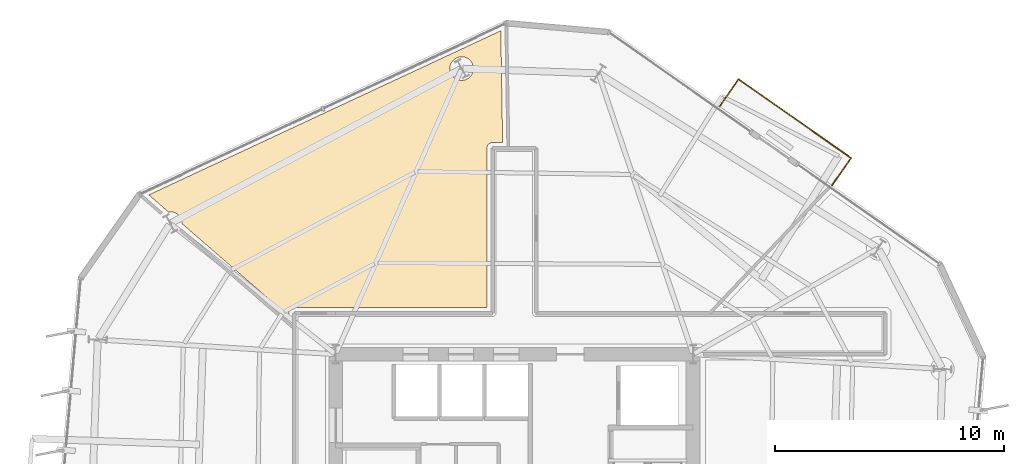
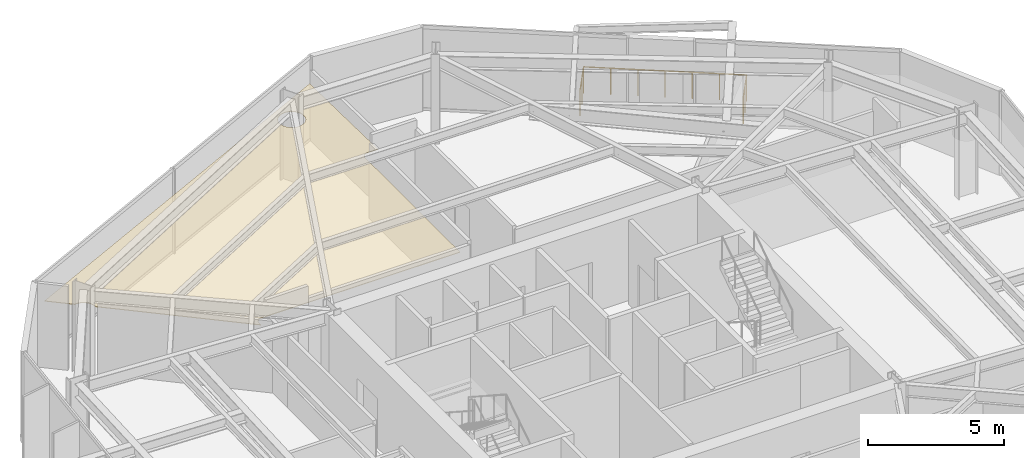
# One storey, part 12 of 12: 1 covering, 1 railing.
"""IFC4 building model written with IfcOpenShell, lengths in metres."""

from ifc_helpers import new_model, si_unit, direction, frame, origin, origin_2d, place, context, subcontext, project, spatial, polyline, circle, outline, extrude, material, layer, layer_set, type_object, element, save


model = new_model("IFC4")

# Units and contexts
model_context = context("Model", 3, precision=1e-05, world=origin(), true_north=direction((0.0, 1.0)))
body_context = subcontext(model_context, "Body", "Model", "MODEL_VIEW")
ifc_project = project(units=[si_unit("LENGTHUNIT", "METRE"), si_unit("AREAUNIT", "SQUARE_METRE"), si_unit("VOLUMEUNIT", "CUBIC_METRE"), si_unit("PLANEANGLEUNIT", "RADIAN"), si_unit("MASSUNIT", "GRAM", prefix="KILO")], contexts=[model_context])

# Site, building, storey
site_placement = place(None, origin())
site = spatial("IfcSite", under=ifc_project, at=site_placement, CompositionType="ELEMENT")
building_placement = place(site_placement, origin())
building = spatial("IfcBuilding", under=site, at=building_placement, Name="Kranzbogen Civic Tower", CompositionType="ELEMENT")
storey_placement = place(building_placement, frame((0.0, 0.0, 122.39990234375)))
storey = spatial("IfcBuildingStorey", under=building, at=storey_placement, Name="L29", CompositionType="ELEMENT", Elevation=122.39990234375)

# Railing
ifc_material_1 = material(Name="Anodised Bronze Aluminium", Category="aluminium")
railing_type = type_object("IfcRailingType", Name="Cantilevered Balcony Glass and Bronze Balustrade 1200", PredefinedType="BALUSTRADE", material=ifc_material_1)
railing_placement = place(storey_placement, frame((38.8720703125, 39.580078125, 0.0)))
element("IfcRailing", 1, at=railing_placement, inside=storey, type_object=railing_type, Name="L29 exterior terrace balustrade L29-TB1", PredefinedType="BALUSTRADE", context=body_context, shape_type="SweptSolid", body=[
    extrude(circle(Radius=0.02392578125, at=origin_2d()), frame((0.0, 0.0, 1.17578125), z_axis=(0.573665677324, 0.819089549842, 0.0), x_axis=(-0.819089549842, 0.573665677324, 0.0)), (0.0, 0.0, 1.0), 1.450439453125),
    extrude(circle(Radius=0.02392578125, at=origin_2d()), frame((0.83203125, 1.18798828125, 1.17578125), z_axis=(-0.819124862085, 0.573615254604, 0.0), x_axis=(-0.573615254604, -0.819124862085, 0.0)), (0.0, 0.0, 1.0), 6.000244140625),
    extrude(circle(Radius=0.02392578125, at=origin_2d()), frame((-4.0830078125, 4.6298828125, 1.17578125), z_axis=(-0.573665677324, -0.819089549842, 0.0), x_axis=(0.819089549842, -0.573665677324, 0.0)), (0.0, 0.0, 1.0), 1.450439453125),
    extrude(circle(Radius=0.02099609375, at=origin_2d()), origin(), (0.0, 0.0, 1.0), 1.15185546875),
    extrude(circle(Radius=0.02099609375, at=origin_2d()), frame((0.416015625, 0.593994140625, 0.0)), (0.0, 0.0, 1.0), 1.15185546875),
    extrude(circle(Radius=0.02099609375, at=origin_2d()), frame((0.83203125, 1.18798828125, 0.0)), (0.0, 0.0, 1.0), 1.15185546875),
    extrude(circle(Radius=0.02099609375, at=origin_2d()), frame((0.012939453125, 1.76171875, 0.0)), (0.0, 0.0, 1.0), 1.15185546875),
    extrude(circle(Radius=0.02099609375, at=origin_2d()), frame((-0.806396484375, 2.335205078125, 0.0)), (0.0, 0.0, 1.0), 1.15185546875),
    extrude(circle(Radius=0.02099609375, at=origin_2d()), frame((-1.62548828125, 2.908935546875, 0.0)), (0.0, 0.0, 1.0), 1.15185546875),
    extrude(circle(Radius=0.02099609375, at=origin_2d()), frame((-2.444580078125, 3.482666015625, 0.0)), (0.0, 0.0, 1.0), 1.15185546875),
    extrude(circle(Radius=0.02099609375, at=origin_2d()), frame((-3.263916015625, 4.05615234375, 0.0)), (0.0, 0.0, 1.0), 1.15185546875),
    extrude(circle(Radius=0.02099609375, at=origin_2d()), frame((-4.0830078125, 4.6298828125, 0.0)), (0.0, 0.0, 1.0), 1.15185546875),
    extrude(circle(Radius=0.02099609375, at=origin_2d()), frame((-4.4990234375, 4.035888671875, 0.0)), (0.0, 0.0, 1.0), 1.15185546875),
    extrude(circle(Radius=0.02099609375, at=origin_2d()), frame((-4.9150390625, 3.44189453125, 0.0)), (0.0, 0.0, 1.0), 1.15185546875),
])

# Covering
ifc_material_2 = material(Name="Perforated Acoustic Gypsum Ceiling")
ifc_layer = layer(ifc_material_2, 0.02490234375, Name="Perforated Acoustic Gypsum Ceiling")
ifc_layer_set = layer_set([ifc_layer], Name="Perforated Acoustic Gypsum Ceiling")
covering_type = type_object("IfcCoveringType", Name="Perforated Acoustic Mineral Ceiling Tile 25 mm", PredefinedType="CEILING", material=ifc_layer_set)
covering_placement = place(storey_placement, frame((0.0, 0.0, 2.75)))
element("IfcCovering", 2, at=covering_placement, inside=storey, type_object=covering_type, Name="L29 Refreshment Galley Pantry acoustic ceiling", PredefinedType="CEILING", context=body_context, shape_type="SweptSolid", body=[
    extrude(outline(polyline([(24.489013671875, 41.445068359375), (24.050048828125, 41.445068359375), (24.041015625, 41.445068359375), (24.034912109375, 41.444091796875), (24.01708984375, 41.443115234375), (24.010986328125, 41.44189453125), (23.993896484375, 41.43798828125), (23.987060546875, 41.43701171875), (23.969970703125, 41.431884765625), (23.964111328125, 41.429931640625), (23.947998046875, 41.423095703125), (23.94189453125, 41.419921875), (23.927001953125, 41.412109375), (23.9208984375, 41.407958984375), (23.906982421875, 41.39892578125), (23.902099609375, 41.39501953125), (23.887939453125, 41.384033203125), (23.883056640625, 41.37890625), (23.87109375, 41.366943359375), (23.865966796875, 41.362060546875), (23.85498046875, 41.347900390625), (23.85107421875, 41.343017578125), (23.842041015625, 41.3291015625), (23.837890625, 41.322998046875), (23.830078125, 41.30810546875), (23.826904296875, 41.302001953125), (23.820068359375, 41.285888671875), (23.818115234375, 41.280029296875), (23.81298828125, 41.262939453125), (23.81201171875, 41.256103515625), (23.80810546875, 41.239013671875), (23.806884765625, 41.23291015625), (23.805908203125, 41.215087890625), (23.804931640625, 41.208984375), (23.804931640625, 41.199951171875), (23.804931640625, 34.2451171875), (15.39990234375, 34.2451171875), (15.39111328125, 34.2451171875), (15.385009765625, 34.243896484375), (15.366943359375, 34.242919921875), (15.361083984375, 34.241943359375), (15.343994140625, 34.238037109375), (15.3369140625, 34.237060546875), (15.320068359375, 34.23193359375), (15.31396484375, 34.22998046875), (15.298095703125, 34.222900390625), (15.2919921875, 34.219970703125), (15.277099609375, 34.2119140625), (15.27099609375, 34.2080078125), (15.257080078125, 34.198974609375), (15.251953125, 34.195068359375), (15.238037109375, 34.18408203125), (15.23291015625, 34.178955078125), (15.220947265625, 34.1669921875), (15.216064453125, 34.162109375), (15.205078125, 34.14794921875), (15.200927734375, 34.14306640625), (15.19189453125, 34.12890625), (15.18798828125, 34.123046875), (15.179931640625, 34.10791015625), (15.177001953125, 34.10205078125), (15.169921875, 34.0859375), (15.16796875, 34.080078125), (15.1630859375, 34.06298828125), (15.162109375, 34.055908203125), (15.157958984375, 34.0390625), (15.156982421875, 34.032958984375), (15.156005859375, 34.014892578125), (15.155029296875, 34.009033203125), (15.155029296875, 34.0), (15.155029296875, 33.860107421875), (10.490966796875, 37.904052734375), (10.490966796875, 37.907958984375), (10.489013671875, 37.9580078125), (10.48095703125, 38.008056640625), (10.468994140625, 38.056884765625), (10.451904296875, 38.10498046875), (10.430908203125, 38.14990234375), (10.405029296875, 38.194091796875), (10.375, 38.23388671875), (10.341064453125, 38.27197265625), (10.302978515625, 38.305908203125), (10.262939453125, 38.3359375), (10.218994140625, 38.362060546875), (10.174072265625, 38.383056640625), (10.1259765625, 38.39990234375), (10.076904296875, 38.412109375), (10.027099609375, 38.419921875), (9.97705078125, 38.422119140625), (9.927001953125, 38.419921875), (9.89990234375, 38.416015625), (9.0439453125, 39.157958984375), (24.410888671875, 46.323974609375), (24.489013671875, 41.445068359375)]), holes=[polyline([(23.174072265625, 44.47509765625), (23.153076171875, 44.429931640625), (23.126953125, 44.385986328125), (23.096923828125, 44.345947265625), (23.06298828125, 44.30810546875), (23.02490234375, 44.27392578125), (22.985107421875, 44.243896484375), (22.94091796875, 44.218017578125), (22.89599609375, 44.197021484375), (22.847900390625, 44.179931640625), (22.799072265625, 44.16796875), (22.7490234375, 44.159912109375), (22.698974609375, 44.157958984375), (22.64892578125, 44.159912109375), (22.59912109375, 44.16796875), (22.550048828125, 44.179931640625), (22.501953125, 44.197021484375), (22.45703125, 44.218017578125), (22.4130859375, 44.243896484375), (22.373046875, 44.27392578125), (22.3349609375, 44.30810546875), (22.301025390625, 44.345947265625), (22.27099609375, 44.385986328125), (22.2451171875, 44.429931640625), (22.22412109375, 44.47509765625), (22.20703125, 44.52294921875), (22.195068359375, 44.572021484375), (22.18701171875, 44.6220703125), (22.18505859375, 44.672119140625), (22.18701171875, 44.721923828125), (22.195068359375, 44.77197265625), (22.20703125, 44.821044921875), (22.22412109375, 44.868896484375), (22.2451171875, 44.9140625), (22.27099609375, 44.9580078125), (22.301025390625, 44.998046875), (22.3349609375, 45.035888671875), (22.373046875, 45.070068359375), (22.4130859375, 45.10009765625), (22.45703125, 45.1259765625), (22.501953125, 45.14697265625), (22.550048828125, 45.1640625), (22.59912109375, 45.176025390625), (22.64892578125, 45.18408203125), (22.698974609375, 45.18603515625), (22.7490234375, 45.18408203125), (22.799072265625, 45.176025390625), (22.847900390625, 45.1640625), (22.89599609375, 45.14697265625), (22.94091796875, 45.1259765625), (22.985107421875, 45.10009765625), (23.02490234375, 45.070068359375), (23.06298828125, 45.035888671875), (23.096923828125, 44.998046875), (23.126953125, 44.9580078125), (23.153076171875, 44.9140625), (23.174072265625, 44.868896484375), (23.19091796875, 44.821044921875), (23.202880859375, 44.77197265625), (23.2109375, 44.721923828125), (23.212890625, 44.672119140625), (23.2109375, 44.6220703125), (23.202880859375, 44.572021484375), (23.19091796875, 44.52294921875), (23.174072265625, 44.47509765625)])]), origin(), (0.0, 0.0, 1.0), 0.025146484375),
])

save(model, "model.ifc")
